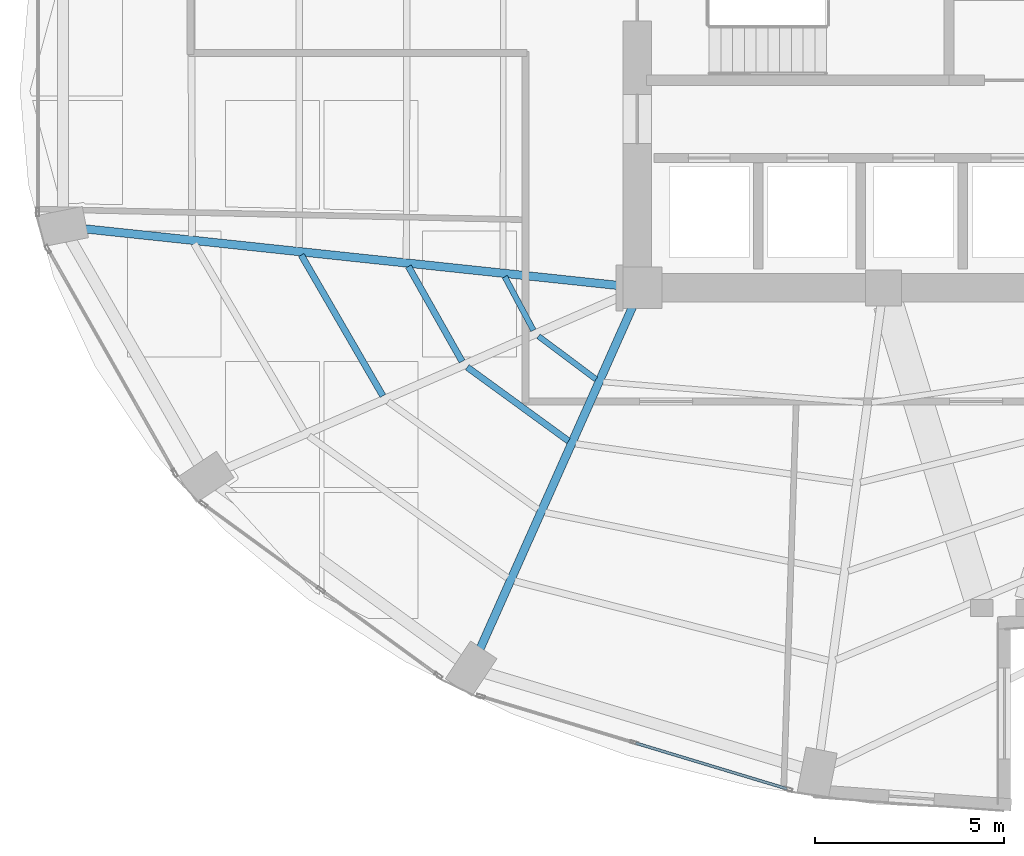
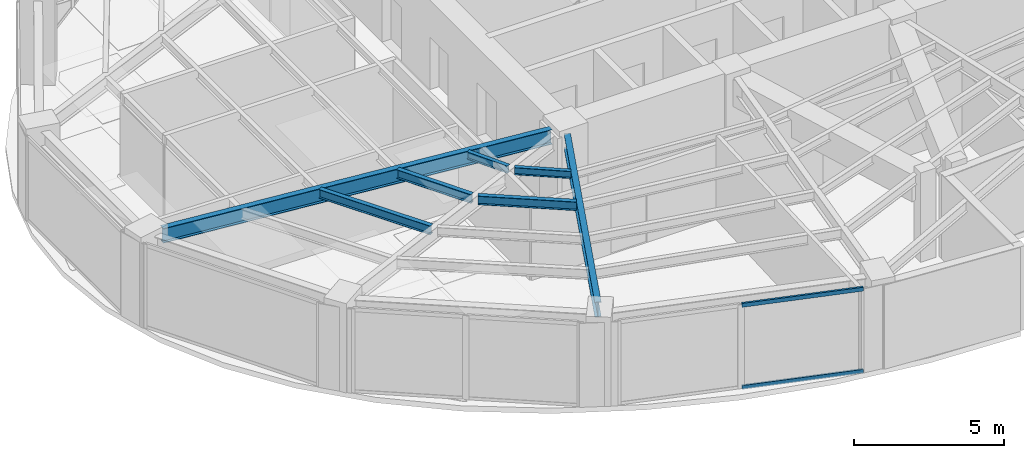
# One storey, part 4 of 23: 7 beams, 2 members, 1 element without a shape of its own.
"""IFC4 building model written with IfcOpenShell, lengths in metres."""

from ifc_helpers import new_model, si_unit, direction, frame, origin, origin_2d, place, context, subcontext, project, spatial, hollow_rectangle, i_section, extrude, material, layer, layer_set, material_profile, profile_set, type_object, element, aggregate, save


model = new_model("IFC4")

# Units and contexts
model_context = context("Model", 3, precision=1e-05, world=origin(), true_north=direction((0.0, 1.0)))
body_context = subcontext(model_context, "Body", "Model", "MODEL_VIEW")
ifc_project = project(units=[si_unit("LENGTHUNIT", "METRE"), si_unit("AREAUNIT", "SQUARE_METRE"), si_unit("VOLUMEUNIT", "CUBIC_METRE"), si_unit("PLANEANGLEUNIT", "RADIAN"), si_unit("MASSUNIT", "GRAM", prefix="KILO")], contexts=[model_context])

# Site, building, storey
site_placement = place(None, origin())
site = spatial("IfcSite", under=ifc_project, at=site_placement, CompositionType="ELEMENT")
building_placement = place(site_placement, origin())
building = spatial("IfcBuilding", under=site, at=building_placement, Name="Lazwardi Medical Tower", CompositionType="ELEMENT")
storey_placement = place(building_placement, frame((0.0, 0.0, 107.280029296875)))
storey = spatial("IfcBuildingStorey", under=building, at=storey_placement, Name="L27", CompositionType="ELEMENT", Elevation=107.280029296875)

# Beams
ifc_material_1 = material(Name="Steel S355", Category="steel")
ifc_material_profile_1 = material_profile(ifc_material_1, i_section(OverallWidth=0.219970703125, OverallDepth=0.60009765625, WebThickness=0.011962890625, FlangeThickness=0.01904296875, at=origin_2d()), Name="IPE 600")
ifc_profile_set_1 = profile_set([ifc_material_profile_1], Name="Steel S355")
beam_type_1 = type_object("IfcBeamType", Name="BM-RG-W1", PredefinedType="BEAM", material=ifc_profile_set_1)
beam_1_placement = place(storey_placement, frame((11.7138671875, 21.958984375, 3.1279296875), z_axis=(0.994413340753, -0.10555618282, 0.0), x_axis=(0.10555618282, 0.994413340753, 0.0)))
element("IfcBeam", 1, at=beam_1_placement, inside=storey, type_object=beam_type_1, Name="Radial girder RG-02 R13 L27", PredefinedType="BEAM", context=body_context, shape_type="SweptSolid", body=[
    extrude(i_section(OverallWidth=0.219970703125, OverallDepth=0.60009765625, WebThickness=0.011962890625, FlangeThickness=0.01904296875, at=origin_2d()), origin(), (0.0, 0.0, 1.0), 14.233642578125),
])
beam_2_placement = place(storey_placement, frame((22.152587890625, 10.872314453125, 3.1279296875), z_axis=(0.407165924957, 0.913354208155, 0.0), x_axis=(-0.913354208155, 0.407165924957, 0.0)))
element("IfcBeam", 2, at=beam_2_placement, inside=storey, type_object=beam_type_1, Name="Radial girder RG-02 R15 L27", PredefinedType="BEAM", context=body_context, shape_type="SweptSolid", body=[
    extrude(i_section(OverallWidth=0.219970703125, OverallDepth=0.60009765625, WebThickness=0.011962890625, FlangeThickness=0.01904296875, at=origin_2d()), origin(), (0.0, 0.0, 1.0), 9.896484375),
])
ifc_material_profile_2 = material_profile(ifc_material_1, i_section(OverallWidth=0.169921875, OverallDepth=0.360107421875, WebThickness=0.008056640625, FlangeThickness=0.0126953125, at=origin_2d()), Name="IPE 360")
ifc_profile_set_2 = profile_set([ifc_material_profile_2], Name="Steel S355")
beam_type_2 = type_object("IfcBeamType", Name="BM-SJ-02", PredefinedType="JOIST", material=ifc_profile_set_2)
beam_3_placement = place(storey_placement, frame((17.42822265625, 21.26708984375, 3.248046875), z_axis=(0.501365325212, -0.865235696602, 0.0), x_axis=(0.865235696602, 0.501365325212, 0.0)))
element("IfcBeam", 3, at=beam_3_placement, inside=storey, type_object=beam_type_2, Name="Secondary joist SJ-02 R2 B13 L27", PredefinedType="JOIST", context=body_context, shape_type="SweptSolid", body=[
    extrude(i_section(OverallWidth=0.169921875, OverallDepth=0.360107421875, WebThickness=0.008056640625, FlangeThickness=0.0126953125, at=origin_2d()), origin(), (0.0, 0.0, 1.0), 4.298828125),
])
beam_4_placement = place(storey_placement, frame((20.258056640625, 20.966064453125, 3.248046875), z_axis=(0.492026539517, -0.870580199873, 0.0), x_axis=(0.870580199873, 0.492026539517, 0.0)))
element("IfcBeam", 4, at=beam_4_placement, inside=storey, type_object=beam_type_2, Name="Secondary joist SJ-02 R3 B13 L27", PredefinedType="JOIST", context=body_context, shape_type="SweptSolid", body=[
    extrude(i_section(OverallWidth=0.169921875, OverallDepth=0.360107421875, WebThickness=0.008056640625, FlangeThickness=0.0126953125, at=origin_2d()), origin(), (0.0, 0.0, 1.0), 2.880859375),
])
beam_5_placement = place(storey_placement, frame((21.81201171875, 18.3046875, 3.248046875), z_axis=(0.808301737247, -0.588768461761, 0.0), x_axis=(0.588768461761, 0.808301737247, 0.0)))
element("IfcBeam", 5, at=beam_5_placement, inside=storey, type_object=beam_type_2, Name="Secondary joist SJ-02 R3 B14 L27", PredefinedType="JOIST", context=body_context, shape_type="SweptSolid", body=[
    extrude(i_section(OverallWidth=0.169921875, OverallDepth=0.360107421875, WebThickness=0.008056640625, FlangeThickness=0.0126953125, at=origin_2d()), origin(), (0.0, 0.0, 1.0), 3.307373046875),
])
ifc_material_profile_3 = material_profile(ifc_material_1, i_section(OverallWidth=0.14990234375, OverallDepth=0.300048828125, WebThickness=0.007080078125, FlangeThickness=0.0107421875, at=origin_2d()), Name="IPE 300")
ifc_profile_set_3 = profile_set([ifc_material_profile_3], Name="Steel S355")
beam_type_3 = type_object("IfcBeamType", Name="BM-SJ-03", PredefinedType="JOIST", material=ifc_profile_set_3)
beam_6_placement = place(storey_placement, frame((22.8037109375, 20.6943359375, 3.278076171875), z_axis=(0.471022344925, -0.882121278839, 0.0), x_axis=(0.882121278839, 0.471022344925, 0.0)))
element("IfcBeam", 6, at=beam_6_placement, inside=storey, type_object=beam_type_3, Name="Secondary joist SJ-03 R4 B13 L27", PredefinedType="JOIST", context=body_context, shape_type="SweptSolid", body=[
    extrude(i_section(OverallWidth=0.14990234375, OverallDepth=0.300048828125, WebThickness=0.007080078125, FlangeThickness=0.0107421875, at=origin_2d()), origin(), (0.0, 0.0, 1.0), 1.605224609375),
])
beam_7_placement = place(storey_placement, frame((23.693359375, 19.12255859375, 3.278076171875), z_axis=(0.800447687995, -0.599402618265, 0.0), x_axis=(0.599402618265, 0.800447687995, 0.0)))
element("IfcBeam", 7, at=beam_7_placement, inside=storey, type_object=beam_type_3, Name="Secondary joist SJ-03 R4 B14 L27", PredefinedType="JOIST", context=body_context, shape_type="SweptSolid", body=[
    extrude(i_section(OverallWidth=0.14990234375, OverallDepth=0.300048828125, WebThickness=0.007080078125, FlangeThickness=0.0107421875, at=origin_2d()), origin(), (0.0, 0.0, 1.0), 1.896728515625),
])

# Curtain wall, members
ifc_material_2 = material(Name="Anodised bronze aluminium and solar control glazing", Category="aluminium")
ifc_layer = layer(ifc_material_2, 0.195068359375)
ifc_layer_set = layer_set([ifc_layer], Name="Anodised bronze aluminium and solar control glazing")
curtain_wall_type = type_object("IfcCurtainWallType", Name="CW-SYS-03", PredefinedType="NOTDEFINED", material=ifc_layer_set)
curtain_wall_placement = place(storey_placement, origin())
curtain_wall = element("IfcCurtainWall", 8, at=curtain_wall_placement, inside=storey, type_object=curtain_wall_type, Name="L27 Unitised bronze curtain wall CW-03", PredefinedType="NOTDEFINED")
ifc_material_3 = material(Name="Anodised bronze aluminium", Category="aluminium")
ifc_material_profile_4 = material_profile(ifc_material_3, hollow_rectangle(XDim=0.074951171875, YDim=0.159912109375, WallThickness=0.00390625, at=origin_2d()), Name="ALU-TRANSOM 160x75x4")
ifc_profile_set_4 = profile_set([ifc_material_profile_4], Name="Anodised bronze aluminium")
member_type = type_object("IfcMemberType", Name="CW-TRN-01", PredefinedType="USERDEFINED", material=ifc_profile_set_4)
member_1_placement = place(storey_placement, frame((26.2666015625, 8.3759765625, 0.037353515625), z_axis=(0.957220865985, -0.289358279168, 0.0), x_axis=(0.289358279168, 0.957220865985, 0.0)))
member_1 = element("IfcMember", 9, at=member_1_placement, type_object=member_type, Name="CW-03 transom 2.1", ObjectType="TRANSOM", PredefinedType="USERDEFINED", context=body_context, shape_type="SweptSolid", body=[
    extrude(hollow_rectangle(XDim=0.074951171875, YDim=0.159912109375, WallThickness=0.00390625, at=origin_2d()), origin(), (0.0, 0.0, 1.0), 4.16552734375),
])
member_2_placement = place(storey_placement, frame((26.2666015625, 8.3759765625, 3.390380859375), z_axis=(0.957220865985, -0.289358279168, 0.0), x_axis=(0.289358279168, 0.957220865985, 0.0)))
member_2 = element("IfcMember", 10, at=member_2_placement, type_object=member_type, Name="CW-03 transom 2.2", ObjectType="TRANSOM", PredefinedType="USERDEFINED", context=body_context, shape_type="SweptSolid", body=[
    extrude(hollow_rectangle(XDim=0.074951171875, YDim=0.159912109375, WallThickness=0.00390625, at=origin_2d()), origin(), (0.0, 0.0, 1.0), 4.16552734375),
])
aggregate(curtain_wall, [member_1, member_2])

save(model, "model.ifc")
